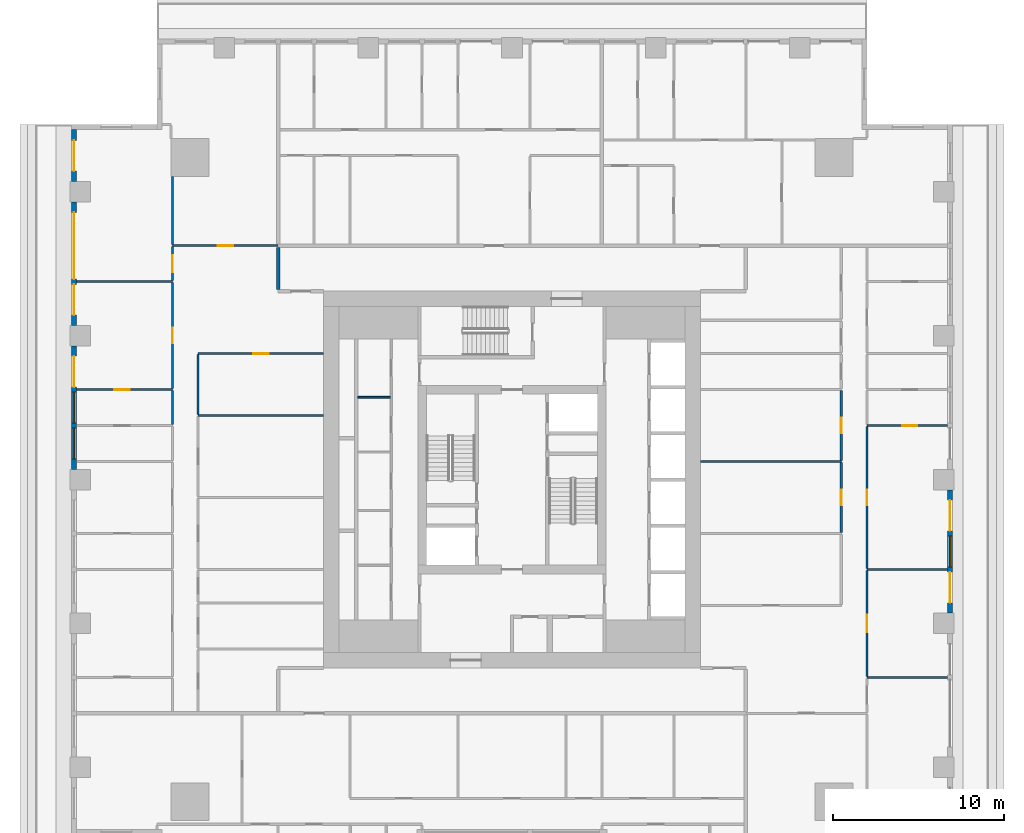
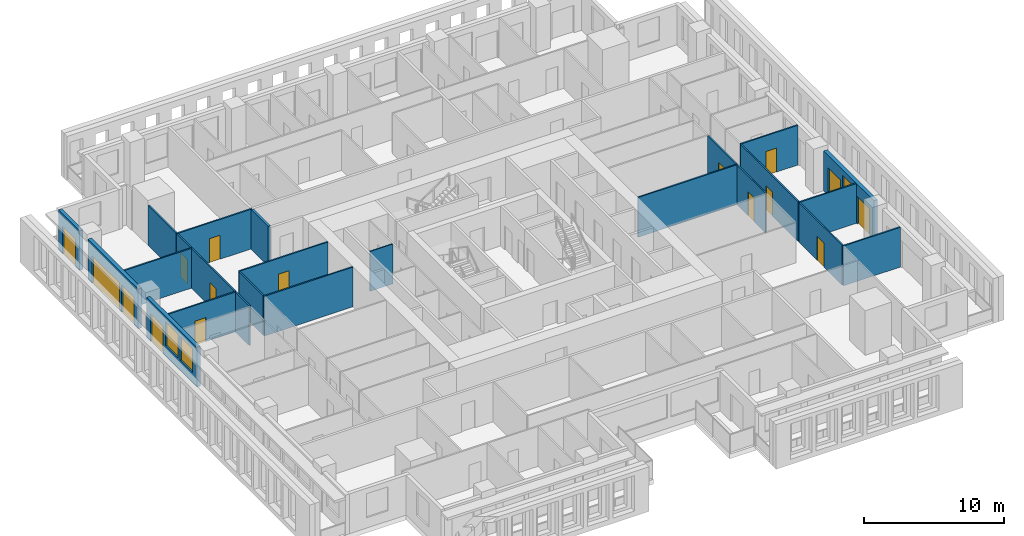
# One storey, part 6 of 15: 24 walls, 16 doors, 3 windows, 19 openings.
"""IFC4 building model written with IfcOpenShell, lengths in metres."""

from ifc_helpers import new_model, si_unit, direction, frame, frame_2d, origin, place, context, subcontext, project, spatial, rectangle, extrude, material, layer, layer_set, type_object, element, fill, save


model = new_model("IFC4")

# Units and contexts
model_context = context("Model", 3, precision=1e-05, world=origin(), true_north=direction((0.0, 1.0)))
body_context = subcontext(model_context, "Body", "Model", "MODEL_VIEW")
ifc_project = project(units=[si_unit("LENGTHUNIT", "METRE"), si_unit("AREAUNIT", "SQUARE_METRE"), si_unit("VOLUMEUNIT", "CUBIC_METRE"), si_unit("PLANEANGLEUNIT", "RADIAN"), si_unit("MASSUNIT", "GRAM", prefix="KILO")], contexts=[model_context])

# Site, building, storey
site_placement = place(None, origin())
site = spatial("IfcSite", under=ifc_project, at=site_placement, CompositionType="ELEMENT")
building_placement = place(site_placement, origin())
building = spatial("IfcBuilding", under=site, at=building_placement, Name="Khepri Terraces", CompositionType="ELEMENT")
storey_placement = place(building_placement, frame((0.0, 0.0, 248.39990234375)))
storey = spatial("IfcBuildingStorey", under=building, at=storey_placement, Name="L59", CompositionType="ELEMENT", Elevation=248.39990234375)

# Walls
ifc_material_1 = material(Name="Fire-rated gypsum board partition")
ifc_layer_1 = layer(ifc_material_1, 0.10009765625, Name="Fire-rated gypsum board partition")
ifc_layer_set_1 = layer_set([ifc_layer_1], Name="Fire-rated gypsum board partition")
wall_type_1 = type_object("IfcWallType", Name="WL-CORE-PART-100", PredefinedType="PARTITIONING", material=ifc_layer_set_1)
wall_1_placement = place(storey_placement, frame((-9.0, 4.800048828125, 0.0), z_axis=(0.0, 0.0, 1.0), x_axis=(1.0, 0.0, 0.0)))
element("IfcWall", 1, at=wall_1_placement, inside=storey, type_object=wall_type_1, Name="Core partition PT11 L59", PredefinedType="PARTITIONING", context=body_context, shape_type="SweptSolid", body=[
    extrude(rectangle(XDim=1.89990234375, YDim=0.10009765625, at=frame_2d((0.949951171875, 0.0))), origin(), (0.0, 0.0, 1.0), 3.47998046875),
])
ifc_material_2 = material(Name="Fire-rated gypsum plasterboard partition, mineral wool")
ifc_layer_2 = layer(ifc_material_2, 0.199951171875, Name="Fire-rated gypsum plasterboard partition, mineral wool")
ifc_layer_set_2 = layer_set([ifc_layer_2], Name="Fire-rated gypsum plasterboard partition, mineral wool")
wall_type_2 = type_object("IfcWallType", Name="WL-CORR-200", PredefinedType="PARTITIONING", material=ifc_layer_set_2)
wall_2_placement = place(storey_placement, frame((-13.64990234375, 11.10009765625, 0.0), z_axis=(0.0, 0.0, 1.0), x_axis=(0.0, 1.0, 0.0)))
element("IfcWall", 2, at=wall_2_placement, inside=storey, type_object=wall_type_2, Name="Partition P-075 L59", PredefinedType="PARTITIONING", context=body_context, shape_type="SweptSolid", body=[
    extrude(rectangle(XDim=2.449951171875, YDim=0.199951171875, at=frame_2d((1.22509765625, 0.0))), origin(), (0.0, 0.0, 1.0), 3.47998046875),
])

# Wall, openings, doors, window
ifc_material_3 = material(Name="Precast concrete C50/60 warm stone", Category="masonry")
ifc_layer_3 = layer(ifc_material_3, 0.300048828125, Name="Precast concrete C50/60 warm stone", Category="masonry")
ifc_layer_set_3 = layer_set([ifc_layer_3], Name="Precast concrete C50/60 warm stone")
wall_type_3 = type_object("IfcWallType", Name="WL-EXT-PRECAST-300", PredefinedType="STANDARD", material=ifc_layer_set_3)
wall_3_placement = place(storey_placement, frame((25.570068359375, -7.800048828125, 0.0), z_axis=(0.0, 0.0, 1.0), x_axis=(0.0, 1.0, 0.0)))
wall_3 = element("IfcWall", 3, at=wall_3_placement, inside=storey, type_object=wall_type_3, Name="External wall L59 E", PredefinedType="STANDARD", context=body_context, shape_type="SweptSolid", body=[
    extrude(rectangle(XDim=7.199951171875, YDim=0.300048828125, at=frame_2d((3.60009765625, 0.0))), origin(), (0.0, 0.0, 1.0), 3.47998046875),
])
opening_1_placement = place(wall_3_placement, frame((0.60009765625, 0.0, 0.0)))
opening_1 = element("IfcOpeningElement", 4, at=opening_1_placement, cuts=wall_3, Name="Opening ED-L59-04", PredefinedType="OPENING", context=body_context, shape_type="SweptSolid", body=[
    extrude(rectangle(XDim=1.800048828125, YDim=2.39990234375, at=frame_2d((0.89990234375, 1.199951171875))), frame((0.0, 0.16015625, 0.0), z_axis=(0.0, -1.0, 0.0), x_axis=(1.0, 0.0, 0.0)), (0.0, 0.0, 1.0), 0.320068359375),
])
opening_2_placement = place(wall_3_placement, frame((2.699951171875, 0.0, 0.89990234375)))
opening_2 = element("IfcOpeningElement", 5, at=opening_2_placement, cuts=wall_3, Name="Opening W1", PredefinedType="OPENING", context=body_context, shape_type="SweptSolid", body=[
    extrude(rectangle(XDim=1.800048828125, YDim=2.10009765625, at=frame_2d((0.89990234375, 1.050048828125))), frame((0.0, 0.16015625, 0.0), z_axis=(0.0, -1.0, 0.0), x_axis=(1.0, 0.0, 0.0)), (0.0, 0.0, 1.0), 0.320068359375),
])
opening_3_placement = place(wall_3_placement, frame((4.800048828125, 0.0, 0.0)))
opening_3 = element("IfcOpeningElement", 6, at=opening_3_placement, cuts=wall_3, Name="Opening ED-L59-05", PredefinedType="OPENING", context=body_context, shape_type="SweptSolid", body=[
    extrude(rectangle(XDim=1.800048828125, YDim=2.39990234375, at=frame_2d((0.89990234375, 1.199951171875))), frame((0.0, 0.16015625, 0.0), z_axis=(0.0, -1.0, 0.0), x_axis=(1.0, 0.0, 0.0)), (0.0, 0.0, 1.0), 0.320068359375),
])
ifc_material_4 = material(Name="Anodised aluminium bronze glazed door", Category="aluminium")
door_type_1 = type_object("IfcDoorType", Name="DR-BAL-SLIDE-1800x2400", OperationType="NOTDEFINED", PredefinedType="DOOR", material=ifc_material_4)
door_1_placement = place(opening_1_placement, origin())
door_1 = element("IfcDoor", 7, at=door_1_placement, inside=storey, type_object=door_type_1, Name="Balcony door L59 E", OperationType="SLIDING_TO_LEFT", OverallHeight=2.39990234375, OverallWidth=1.800048828125, PredefinedType="DOOR", context=body_context, shape_type="SweptSolid", body=[
    extrude(rectangle(XDim=1.800048828125, YDim=2.39990234375, at=frame_2d((0.89990234375, 1.199951171875))), frame((0.0, 0.02490234375, 0.0), z_axis=(0.0, -1.0, 0.0), x_axis=(1.0, 0.0, 0.0)), (0.0, 0.0, 1.0), 0.050048828125),
])
fill(opening_1, door_1)
door_2_placement = place(opening_3_placement, origin())
door_2 = element("IfcDoor", 8, at=door_2_placement, inside=storey, type_object=door_type_1, Name="Balcony door L59 E", OperationType="SLIDING_TO_RIGHT", OverallHeight=2.39990234375, OverallWidth=1.800048828125, PredefinedType="DOOR", context=body_context, shape_type="SweptSolid", body=[
    extrude(rectangle(XDim=1.800048828125, YDim=2.39990234375, at=frame_2d((0.89990234375, 1.199951171875))), frame((0.0, 0.02490234375, 0.0), z_axis=(0.0, -1.0, 0.0), x_axis=(1.0, 0.0, 0.0)), (0.0, 0.0, 1.0), 0.050048828125),
])
fill(opening_3, door_2)
ifc_material_5 = material(Name="Clear glass", Category="glass")
window_type = type_object("IfcWindowType", Name="WIN-RES-1800x2100", PartitioningType="SINGLE_PANEL", PredefinedType="WINDOW", material=ifc_material_5)
window_1_placement = place(opening_2_placement, origin())
window_1 = element("IfcWindow", 9, at=window_1_placement, inside=storey, type_object=window_type, Name="Window L59 E", OverallHeight=2.10009765625, OverallWidth=1.800048828125, PartitioningType="SINGLE_PANEL", PredefinedType="WINDOW", context=body_context, shape_type="SweptSolid", body=[
    extrude(rectangle(XDim=1.800048828125, YDim=2.10009765625, at=frame_2d((0.89990234375, 1.050048828125))), frame((0.0, 0.030029296875, 0.0), z_axis=(0.0, -1.0, 0.0), x_axis=(1.0, 0.0, 0.0)), (0.0, 0.0, 1.0), 0.06005859375),
])
fill(opening_2, window_1)

# Wall, opening, door
wall_4_placement = place(storey_placement, frame((-25.570068359375, 20.419921875, 0.0), z_axis=(0.0, 0.0, 1.0), x_axis=(0.0, -1.0, 0.0)))
wall_4 = element("IfcWall", 10, at=wall_4_placement, inside=storey, type_object=wall_type_3, Name="External wall L59 W", PredefinedType="STANDARD", context=body_context, shape_type="SweptSolid", body=[
    extrude(rectangle(XDim=3.02001953125, YDim=0.300048828125, at=frame_2d((1.510009765625, 0.0))), origin(), (0.0, 0.0, 1.0), 3.47998046875),
])
opening_4_placement = place(wall_4_placement, frame((0.6201171875, 0.0, 0.0)))
opening_4 = element("IfcOpeningElement", 11, at=opening_4_placement, cuts=wall_4, Name="Opening ED-L59-12", PredefinedType="OPENING", context=body_context, shape_type="SweptSolid", body=[
    extrude(rectangle(XDim=1.800048828125, YDim=2.39990234375, at=frame_2d((0.89990234375, 1.199951171875))), frame((0.0, 0.16015625, 0.0), z_axis=(0.0, -1.0, 0.0), x_axis=(1.0, 0.0, 0.0)), (0.0, 0.0, 1.0), 0.320068359375),
])
door_3_placement = place(opening_4_placement, origin())
door_3 = element("IfcDoor", 12, at=door_3_placement, inside=storey, type_object=door_type_1, Name="Balcony door L59 W", OperationType="SLIDING_TO_RIGHT", OverallHeight=2.39990234375, OverallWidth=1.800048828125, PredefinedType="DOOR", context=body_context, shape_type="SweptSolid", body=[
    extrude(rectangle(XDim=1.800048828125, YDim=2.39990234375, at=frame_2d((0.89990234375, 1.199951171875))), frame((0.0, 0.02490234375, 0.0), z_axis=(0.0, -1.0, 0.0), x_axis=(1.0, 0.0, 0.0)), (0.0, 0.0, 1.0), 0.050048828125),
])
fill(opening_4, door_3)

# Wall, openings, doors
wall_5_placement = place(storey_placement, frame((-25.570068359375, 16.199951171875, 0.0), z_axis=(0.0, 0.0, 1.0), x_axis=(0.0, -1.0, 0.0)))
wall_5 = element("IfcWall", 13, at=wall_5_placement, inside=storey, type_object=wall_type_3, Name="External wall L59 W", PredefinedType="STANDARD", context=body_context, shape_type="SweptSolid", body=[
    extrude(rectangle(XDim=7.199951171875, YDim=0.300048828125, at=frame_2d((3.60009765625, 0.0))), origin(), (0.0, 0.0, 1.0), 3.47998046875),
])
opening_5_placement = place(wall_5_placement, frame((0.60009765625, 0.0, 0.0)))
opening_5 = element("IfcOpeningElement", 14, at=opening_5_placement, cuts=wall_5, Name="Opening ED-L59-13", PredefinedType="OPENING", context=body_context, shape_type="SweptSolid", body=[
    extrude(rectangle(XDim=3.89990234375, YDim=2.39990234375, at=frame_2d((1.949951171875, 1.199951171875))), frame((0.0, 0.16015625, 0.0), z_axis=(0.0, -1.0, 0.0), x_axis=(1.0, 0.0, 0.0)), (0.0, 0.0, 1.0), 0.320068359375),
])
opening_6_placement = place(wall_5_placement, frame((4.800048828125, 0.0, 0.0)))
opening_6 = element("IfcOpeningElement", 15, at=opening_6_placement, cuts=wall_5, Name="Opening ED-L59-14", PredefinedType="OPENING", context=body_context, shape_type="SweptSolid", body=[
    extrude(rectangle(XDim=1.800048828125, YDim=2.39990234375, at=frame_2d((0.89990234375, 1.199951171875))), frame((0.0, 0.16015625, 0.0), z_axis=(0.0, -1.0, 0.0), x_axis=(1.0, 0.0, 0.0)), (0.0, 0.0, 1.0), 0.320068359375),
])
door_4_placement = place(opening_6_placement, origin())
door_4 = element("IfcDoor", 16, at=door_4_placement, inside=storey, type_object=door_type_1, Name="Balcony door L59 W", OperationType="SLIDING_TO_RIGHT", OverallHeight=2.39990234375, OverallWidth=1.800048828125, PredefinedType="DOOR", context=body_context, shape_type="SweptSolid", body=[
    extrude(rectangle(XDim=1.800048828125, YDim=2.39990234375, at=frame_2d((0.89990234375, 1.199951171875))), frame((0.0, 0.02490234375, 0.0), z_axis=(0.0, -1.0, 0.0), x_axis=(1.0, 0.0, 0.0)), (0.0, 0.0, 1.0), 0.050048828125),
])
fill(opening_6, door_4)
door_type_2 = type_object("IfcDoorType", Name="DR-BAL-SLIDE-3900x2400", OperationType="NOTDEFINED", PredefinedType="DOOR", material=ifc_material_4)
door_5_placement = place(opening_5_placement, origin())
door_5 = element("IfcDoor", 17, at=door_5_placement, inside=storey, type_object=door_type_2, Name="Balcony door L59 W", OperationType="SLIDING_TO_LEFT", OverallHeight=2.39990234375, OverallWidth=3.89990234375, PredefinedType="DOOR", context=body_context, shape_type="SweptSolid", body=[
    extrude(rectangle(XDim=3.89990234375, YDim=2.39990234375, at=frame_2d((1.949951171875, 1.199951171875))), frame((0.0, 0.02490234375, 0.0), z_axis=(0.0, -1.0, 0.0), x_axis=(1.0, 0.0, 0.0)), (0.0, 0.0, 1.0), 0.050048828125),
])
fill(opening_5, door_5)

# Wall, openings, door, windows
wall_6_placement = place(storey_placement, frame((-25.570068359375, 7.800048828125, 0.0), z_axis=(0.0, 0.0, 1.0), x_axis=(0.0, -1.0, 0.0)))
wall_6 = element("IfcWall", 18, at=wall_6_placement, inside=storey, type_object=wall_type_3, Name="External wall L59 W", PredefinedType="STANDARD", context=body_context, shape_type="SweptSolid", body=[
    extrude(rectangle(XDim=7.199951171875, YDim=0.300048828125, at=frame_2d((3.60009765625, 0.0))), origin(), (0.0, 0.0, 1.0), 3.47998046875),
])
opening_7_placement = place(wall_6_placement, frame((0.60009765625, 0.0, 0.0)))
opening_7 = element("IfcOpeningElement", 19, at=opening_7_placement, cuts=wall_6, Name="Opening ED-L59-15", PredefinedType="OPENING", context=body_context, shape_type="SweptSolid", body=[
    extrude(rectangle(XDim=1.800048828125, YDim=2.39990234375, at=frame_2d((0.89990234375, 1.199951171875))), frame((0.0, 0.16015625, 0.0), z_axis=(0.0, -1.0, 0.0), x_axis=(1.0, 0.0, 0.0)), (0.0, 0.0, 1.0), 0.320068359375),
])
opening_8_placement = place(wall_6_placement, frame((2.699951171875, 0.0, 0.89990234375)))
opening_8 = element("IfcOpeningElement", 20, at=opening_8_placement, cuts=wall_6, Name="Opening W1", PredefinedType="OPENING", context=body_context, shape_type="SweptSolid", body=[
    extrude(rectangle(XDim=1.800048828125, YDim=2.10009765625, at=frame_2d((0.89990234375, 1.050048828125))), frame((0.0, 0.16015625, 0.0), z_axis=(0.0, -1.0, 0.0), x_axis=(1.0, 0.0, 0.0)), (0.0, 0.0, 1.0), 0.320068359375),
])
opening_9_placement = place(wall_6_placement, frame((4.800048828125, 0.0, 0.89990234375)))
opening_9 = element("IfcOpeningElement", 21, at=opening_9_placement, cuts=wall_6, Name="Opening W1", PredefinedType="OPENING", context=body_context, shape_type="SweptSolid", body=[
    extrude(rectangle(XDim=1.800048828125, YDim=2.10009765625, at=frame_2d((0.89990234375, 1.050048828125))), frame((0.0, 0.16015625, 0.0), z_axis=(0.0, -1.0, 0.0), x_axis=(1.0, 0.0, 0.0)), (0.0, 0.0, 1.0), 0.320068359375),
])
door_6_placement = place(opening_7_placement, origin())
door_6 = element("IfcDoor", 22, at=door_6_placement, inside=storey, type_object=door_type_1, Name="Balcony door L59 W", OperationType="SLIDING_TO_LEFT", OverallHeight=2.39990234375, OverallWidth=1.800048828125, PredefinedType="DOOR", context=body_context, shape_type="SweptSolid", body=[
    extrude(rectangle(XDim=1.800048828125, YDim=2.39990234375, at=frame_2d((0.89990234375, 1.199951171875))), frame((0.0, 0.02490234375, 0.0), z_axis=(0.0, -1.0, 0.0), x_axis=(1.0, 0.0, 0.0)), (0.0, 0.0, 1.0), 0.050048828125),
])
fill(opening_7, door_6)
window_2_placement = place(opening_8_placement, origin())
window_2 = element("IfcWindow", 23, at=window_2_placement, inside=storey, type_object=window_type, Name="Window L59 W", OverallHeight=2.10009765625, OverallWidth=1.800048828125, PartitioningType="SINGLE_PANEL", PredefinedType="WINDOW", context=body_context, shape_type="SweptSolid", body=[
    extrude(rectangle(XDim=1.800048828125, YDim=2.10009765625, at=frame_2d((0.89990234375, 1.050048828125))), frame((0.0, 0.030029296875, 0.0), z_axis=(0.0, -1.0, 0.0), x_axis=(1.0, 0.0, 0.0)), (0.0, 0.0, 1.0), 0.06005859375),
])
fill(opening_8, window_2)
window_3_placement = place(opening_9_placement, origin())
window_3 = element("IfcWindow", 24, at=window_3_placement, inside=storey, type_object=window_type, Name="Window L59 W", OverallHeight=2.10009765625, OverallWidth=1.800048828125, PartitioningType="SINGLE_PANEL", PredefinedType="WINDOW", context=body_context, shape_type="SweptSolid", body=[
    extrude(rectangle(XDim=1.800048828125, YDim=2.10009765625, at=frame_2d((0.89990234375, 1.050048828125))), frame((0.0, 0.030029296875, 0.0), z_axis=(0.0, -1.0, 0.0), x_axis=(1.0, 0.0, 0.0)), (0.0, 0.0, 1.0), 0.06005859375),
])
fill(opening_9, window_3)

# Wall
ifc_material_6 = material(Name="Gypsum plasterboard partition")
ifc_layer_4 = layer(ifc_material_6, 0.1201171875, Name="Gypsum plasterboard partition")
ifc_layer_set_4 = layer_set([ifc_layer_4], Name="Gypsum plasterboard partition")
wall_type_4 = type_object("IfcWallType", Name="WL-PART-120", PredefinedType="PARTITIONING", material=ifc_layer_set_4)
wall_7_placement = place(storey_placement, frame((20.719970703125, -11.550048828125, 0.0), z_axis=(0.0, 0.0, 1.0), x_axis=(1.0, 0.0, 0.0)))
element("IfcWall", 25, at=wall_7_placement, inside=storey, type_object=wall_type_4, Name="Partition P-027 L59", PredefinedType="PARTITIONING", context=body_context, shape_type="SweptSolid", body=[
    extrude(rectangle(XDim=4.699951171875, YDim=0.1201171875, at=frame_2d((2.35009765625, 0.0))), origin(), (0.0, 0.0, 1.0), 3.47998046875),
])

# Wall, opening, door
wall_8_placement = place(storey_placement, frame((20.719970703125, -11.489990234375, 0.0), z_axis=(0.0, 0.0, 1.0), x_axis=(0.0, 1.0, 0.0)))
wall_8 = element("IfcWall", 26, at=wall_8_placement, inside=storey, type_object=wall_type_4, Name="Partition P-029 L59", PredefinedType="PARTITIONING", context=body_context, shape_type="SweptSolid", body=[
    extrude(rectangle(XDim=6.179931640625, YDim=0.1201171875, at=frame_2d((3.08984375, 0.0))), origin(), (0.0, 0.0, 1.0), 3.47998046875),
])
opening_10_placement = place(wall_8_placement, frame((2.590087890625, 0.0, 0.0)))
opening_10 = element("IfcOpeningElement", 27, at=opening_10_placement, cuts=wall_8, Name="Opening D2", PredefinedType="OPENING", context=body_context, shape_type="SweptSolid", body=[
    extrude(rectangle(XDim=1.0, YDim=2.10009765625, at=frame_2d((0.5, 1.050048828125))), frame((0.0, 0.070068359375, 0.0), z_axis=(0.0, -1.0, 0.0), x_axis=(1.0, 0.0, 0.0)), (0.0, 0.0, 1.0), 0.14013671875),
])
ifc_material_7 = material(Name="Timber door leaf, living room door", Category="wood")
door_type_3 = type_object("IfcDoorType", Name="DR-INT-1000", OperationType="NOTDEFINED", PredefinedType="DOOR", material=ifc_material_7)
door_7_placement = place(opening_10_placement, frame((1.0, 0.0, 0.0), z_axis=(0.0, 0.0, 1.0), x_axis=(-1.0, 0.0, 0.0)))
door_7 = element("IfcDoor", 28, at=door_7_placement, inside=storey, type_object=door_type_3, Name="Door Family Room", OperationType="SINGLE_SWING_RIGHT", OverallHeight=2.10009765625, OverallWidth=1.0, PredefinedType="DOOR", context=body_context, shape_type="SweptSolid", body=[
    extrude(rectangle(XDim=1.0, YDim=2.10009765625, at=frame_2d((0.5, 1.050048828125))), frame((0.0, 0.02490234375, 0.0), z_axis=(0.0, -1.0, 0.0), x_axis=(1.0, 0.0, 0.0)), (0.0, 0.0, 1.0), 0.050048828125),
])
fill(opening_10, door_7)

# Wall
wall_9_placement = place(storey_placement, frame((20.719970703125, -5.25, 0.0), z_axis=(0.0, 0.0, 1.0), x_axis=(1.0, 0.0, 0.0)))
element("IfcWall", 29, at=wall_9_placement, inside=storey, type_object=wall_type_4, Name="Partition P-040 L59", PredefinedType="PARTITIONING", context=body_context, shape_type="SweptSolid", body=[
    extrude(rectangle(XDim=4.699951171875, YDim=0.1201171875, at=frame_2d((2.35009765625, 0.0))), origin(), (0.0, 0.0, 1.0), 3.47998046875),
])

# Wall, opening, door
wall_10_placement = place(storey_placement, frame((20.719970703125, -5.18994140625, 0.0), z_axis=(0.0, 0.0, 1.0), x_axis=(0.0, 1.0, 0.0)))
wall_10 = element("IfcWall", 30, at=wall_10_placement, inside=storey, type_object=wall_type_4, Name="Partition P-043 L59", PredefinedType="PARTITIONING", context=body_context, shape_type="SweptSolid", body=[
    extrude(rectangle(XDim=8.280029296875, YDim=0.1201171875, at=frame_2d((4.14013671875, 0.0))), origin(), (0.0, 0.0, 1.0), 3.47998046875),
])
opening_11_placement = place(wall_10_placement, frame((3.68994140625, 0.0, 0.0)))
opening_11 = element("IfcOpeningElement", 31, at=opening_11_placement, cuts=wall_10, Name="Opening D3", PredefinedType="OPENING", context=body_context, shape_type="SweptSolid", body=[
    extrude(rectangle(XDim=0.89990234375, YDim=2.10009765625, at=frame_2d((0.449951171875, 1.050048828125))), frame((0.0, 0.070068359375, 0.0), z_axis=(0.0, -1.0, 0.0), x_axis=(1.0, 0.0, 0.0)), (0.0, 0.0, 1.0), 0.14013671875),
])
ifc_material_8 = material(Name="Timber door leaf", Category="wood")
door_type_4 = type_object("IfcDoorType", Name="DR-INT-900", OperationType="NOTDEFINED", PredefinedType="DOOR", material=ifc_material_8)
door_8_placement = place(opening_11_placement, frame((0.89990234375, 0.0, 0.0), z_axis=(0.0, 0.0, 1.0), x_axis=(-1.0, 0.0, 0.0)))
door_8 = element("IfcDoor", 32, at=door_8_placement, inside=storey, type_object=door_type_4, Name="Door Master Bedroom", OperationType="SINGLE_SWING_LEFT", OverallHeight=2.10009765625, OverallWidth=0.89990234375, PredefinedType="DOOR", context=body_context, shape_type="SweptSolid", body=[
    extrude(rectangle(XDim=0.89990234375, YDim=2.10009765625, at=frame_2d((0.449951171875, 1.050048828125))), frame((0.0, 0.02490234375, 0.0), z_axis=(0.0, -1.0, 0.0), x_axis=(1.0, 0.0, 0.0)), (0.0, 0.0, 1.0), 0.050048828125),
])
fill(opening_11, door_8)

wall_11_placement = place(storey_placement, frame((19.219970703125, -3.090087890625, 0.0), z_axis=(0.0, 0.0, 1.0), x_axis=(0.0, 1.0, 0.0)))
wall_11 = element("IfcWall", 33, at=wall_11_placement, inside=storey, type_object=wall_type_4, Name="Partition P-047 L59", PredefinedType="PARTITIONING", context=body_context, shape_type="SweptSolid", body=[
    extrude(rectangle(XDim=4.080078125, YDim=0.1201171875, at=frame_2d((2.0400390625, 0.0))), origin(), (0.0, 0.0, 1.0), 3.47998046875),
])
opening_12_placement = place(wall_11_placement, frame((1.590087890625, 0.0, 0.0)))
opening_12 = element("IfcOpeningElement", 34, at=opening_12_placement, cuts=wall_11, Name="Opening D3", PredefinedType="OPENING", context=body_context, shape_type="SweptSolid", body=[
    extrude(rectangle(XDim=0.89990234375, YDim=2.10009765625, at=frame_2d((0.449951171875, 1.050048828125))), frame((0.0, 0.070068359375, 0.0), z_axis=(0.0, -1.0, 0.0), x_axis=(1.0, 0.0, 0.0)), (0.0, 0.0, 1.0), 0.14013671875),
])
door_9_placement = place(opening_12_placement, origin())
door_9 = element("IfcDoor", 35, at=door_9_placement, inside=storey, type_object=door_type_4, Name="Door Service Kitchen", OperationType="SINGLE_SWING_RIGHT", OverallHeight=2.10009765625, OverallWidth=0.89990234375, PredefinedType="DOOR", context=body_context, shape_type="SweptSolid", body=[
    extrude(rectangle(XDim=0.89990234375, YDim=2.10009765625, at=frame_2d((0.449951171875, 1.050048828125))), frame((0.0, 0.02490234375, 0.0), z_axis=(0.0, -1.0, 0.0), x_axis=(1.0, 0.0, 0.0)), (0.0, 0.0, 1.0), 0.050048828125),
])
fill(opening_12, door_9)

# Wall
wall_12_placement = place(storey_placement, frame((11.0, 1.050048828125, 0.0), z_axis=(0.0, 0.0, 1.0), x_axis=(1.0, 0.0, 0.0)))
element("IfcWall", 36, at=wall_12_placement, inside=storey, type_object=wall_type_4, Name="Partition P-051 L59", PredefinedType="PARTITIONING", context=body_context, shape_type="SweptSolid", body=[
    extrude(rectangle(XDim=8.219970703125, YDim=0.1201171875, at=frame_2d((4.10986328125, 0.0))), origin(), (0.0, 0.0, 1.0), 3.47998046875),
])

# Wall, opening, door
wall_13_placement = place(storey_placement, frame((19.219970703125, 1.110107421875, 0.0), z_axis=(0.0, 0.0, 1.0), x_axis=(0.0, 1.0, 0.0)))
wall_13 = element("IfcWall", 37, at=wall_13_placement, inside=storey, type_object=wall_type_4, Name="Partition P-053 L59", PredefinedType="PARTITIONING", context=body_context, shape_type="SweptSolid", body=[
    extrude(rectangle(XDim=4.079833984375, YDim=0.1201171875, at=frame_2d((2.0400390625, 0.0))), origin(), (0.0, 0.0, 1.0), 3.47998046875),
])
opening_13_placement = place(wall_13_placement, frame((1.590087890625, 0.0, 0.0)))
opening_13 = element("IfcOpeningElement", 38, at=opening_13_placement, cuts=wall_13, Name="Opening D3", PredefinedType="OPENING", context=body_context, shape_type="SweptSolid", body=[
    extrude(rectangle(XDim=0.89990234375, YDim=2.10009765625, at=frame_2d((0.449951171875, 1.050048828125))), frame((0.0, 0.070068359375, 0.0), z_axis=(0.0, -1.0, 0.0), x_axis=(1.0, 0.0, 0.0)), (0.0, 0.0, 1.0), 0.14013671875),
])
door_10_placement = place(opening_13_placement, origin())
door_10 = element("IfcDoor", 39, at=door_10_placement, inside=storey, type_object=door_type_4, Name="Door Staff Bedroom", OperationType="SINGLE_SWING_RIGHT", OverallHeight=2.10009765625, OverallWidth=0.89990234375, PredefinedType="DOOR", context=body_context, shape_type="SweptSolid", body=[
    extrude(rectangle(XDim=0.89990234375, YDim=2.10009765625, at=frame_2d((0.449951171875, 1.050048828125))), frame((0.0, 0.02490234375, 0.0), z_axis=(0.0, -1.0, 0.0), x_axis=(1.0, 0.0, 0.0)), (0.0, 0.0, 1.0), 0.050048828125),
])
fill(opening_13, door_10)

wall_14_placement = place(storey_placement, frame((20.719970703125, 3.14990234375, 0.0), z_axis=(0.0, 0.0, 1.0), x_axis=(1.0, 0.0, 0.0)))
wall_14 = element("IfcWall", 40, at=wall_14_placement, inside=storey, type_object=wall_type_4, Name="Partition P-055 L59", PredefinedType="PARTITIONING", context=body_context, shape_type="SweptSolid", body=[
    extrude(rectangle(XDim=4.699951171875, YDim=0.1201171875, at=frame_2d((2.35009765625, 0.0))), origin(), (0.0, 0.0, 1.0), 3.47998046875),
])
opening_14_placement = place(wall_14_placement, frame((2.050048828125, 0.0, 0.0)))
opening_14 = element("IfcOpeningElement", 41, at=opening_14_placement, cuts=wall_14, Name="Opening D3", PredefinedType="OPENING", context=body_context, shape_type="SweptSolid", body=[
    extrude(rectangle(XDim=0.89990234375, YDim=2.10009765625, at=frame_2d((0.449951171875, 1.050048828125))), frame((0.0, 0.070068359375, 0.0), z_axis=(0.0, -1.0, 0.0), x_axis=(1.0, 0.0, 0.0)), (0.0, 0.0, 1.0), 0.14013671875),
])
door_11_placement = place(opening_14_placement, origin())
door_11 = element("IfcDoor", 42, at=door_11_placement, inside=storey, type_object=door_type_4, Name="Door Dressing Room", OperationType="SINGLE_SWING_RIGHT", OverallHeight=2.10009765625, OverallWidth=0.89990234375, PredefinedType="DOOR", context=body_context, shape_type="SweptSolid", body=[
    extrude(rectangle(XDim=0.89990234375, YDim=2.10009765625, at=frame_2d((0.449951171875, 1.050048828125))), frame((0.0, 0.02490234375, 0.0), z_axis=(0.0, -1.0, 0.0), x_axis=(1.0, 0.0, 0.0)), (0.0, 0.0, 1.0), 0.050048828125),
])
fill(opening_14, door_11)

# Walls
wall_15_placement = place(storey_placement, frame((-19.820068359375, 3.2099609375, 0.0), z_axis=(0.0, 0.0, 1.0), x_axis=(0.0, 1.0, 0.0)))
element("IfcWall", 43, at=wall_15_placement, inside=storey, type_object=wall_type_4, Name="Partition P-056 L59", PredefinedType="PARTITIONING", context=body_context, shape_type="SweptSolid", body=[
    extrude(rectangle(XDim=1.97998046875, YDim=0.1201171875, at=frame_2d((0.989990234375, 0.0))), origin(), (0.0, 0.0, 1.0), 3.47998046875),
])
wall_16_placement = place(storey_placement, frame((-18.320068359375, 3.75, 0.0), z_axis=(0.0, 0.0, 1.0), x_axis=(1.0, 0.0, 0.0)))
element("IfcWall", 44, at=wall_16_placement, inside=storey, type_object=wall_type_4, Name="Partition P-058 L59", PredefinedType="PARTITIONING", context=body_context, shape_type="SweptSolid", body=[
    extrude(rectangle(XDim=7.320068359375, YDim=0.1201171875, at=frame_2d((3.66015625, 0.0))), origin(), (0.0, 0.0, 1.0), 3.47998046875),
])
wall_17_placement = place(storey_placement, frame((-18.320068359375, 3.81005859375, 0.0), z_axis=(0.0, 0.0, 1.0), x_axis=(0.0, 1.0, 0.0)))
element("IfcWall", 45, at=wall_17_placement, inside=storey, type_object=wall_type_4, Name="Partition P-059 L59", PredefinedType="PARTITIONING", context=body_context, shape_type="SweptSolid", body=[
    extrude(rectangle(XDim=3.47998046875, YDim=0.1201171875, at=frame_2d((1.739990234375, 0.0))), origin(), (0.0, 0.0, 1.0), 3.47998046875),
])

# Wall, opening, door
wall_18_placement = place(storey_placement, frame((-25.419921875, 5.25, 0.0), z_axis=(0.0, 0.0, 1.0), x_axis=(1.0, 0.0, 0.0)))
wall_18 = element("IfcWall", 46, at=wall_18_placement, inside=storey, type_object=wall_type_4, Name="Partition P-060 L59", PredefinedType="PARTITIONING", context=body_context, shape_type="SweptSolid", body=[
    extrude(rectangle(XDim=5.599853515625, YDim=0.1201171875, at=frame_2d((2.7998046875, 0.0))), origin(), (0.0, 0.0, 1.0), 3.47998046875),
])
opening_15_placement = place(wall_18_placement, frame((2.199951171875, 0.0, 0.0)))
opening_15 = element("IfcOpeningElement", 47, at=opening_15_placement, cuts=wall_18, Name="Opening D3", PredefinedType="OPENING", context=body_context, shape_type="SweptSolid", body=[
    extrude(rectangle(XDim=0.89990234375, YDim=2.10009765625, at=frame_2d((0.449951171875, 1.050048828125))), frame((0.0, 0.070068359375, 0.0), z_axis=(0.0, -1.0, 0.0), x_axis=(1.0, 0.0, 0.0)), (0.0, 0.0, 1.0), 0.14013671875),
])
door_12_placement = place(opening_15_placement, frame((0.89990234375, 0.0, 0.0), z_axis=(0.0, 0.0, 1.0), x_axis=(-1.0, 0.0, 0.0)))
door_12 = element("IfcDoor", 48, at=door_12_placement, inside=storey, type_object=door_type_4, Name="Door Dressing Room", OperationType="SINGLE_SWING_RIGHT", OverallHeight=2.10009765625, OverallWidth=0.89990234375, PredefinedType="DOOR", context=body_context, shape_type="SweptSolid", body=[
    extrude(rectangle(XDim=0.89990234375, YDim=2.10009765625, at=frame_2d((0.449951171875, 1.050048828125))), frame((0.0, 0.02490234375, 0.0), z_axis=(0.0, -1.0, 0.0), x_axis=(1.0, 0.0, 0.0)), (0.0, 0.0, 1.0), 0.050048828125),
])
fill(opening_15, door_12)

wall_19_placement = place(storey_placement, frame((-19.820068359375, 5.31005859375, 0.0), z_axis=(0.0, 0.0, 1.0), x_axis=(0.0, 1.0, 0.0)))
wall_19 = element("IfcWall", 49, at=wall_19_placement, inside=storey, type_object=wall_type_4, Name="Partition P-063 L59", PredefinedType="PARTITIONING", context=body_context, shape_type="SweptSolid", body=[
    extrude(rectangle(XDim=6.179931640625, YDim=0.1201171875, at=frame_2d((3.08984375, 0.0))), origin(), (0.0, 0.0, 1.0), 3.47998046875),
])
opening_16_placement = place(wall_19_placement, frame((2.639892578125, 0.0, 0.0)))
opening_16 = element("IfcOpeningElement", 50, at=opening_16_placement, cuts=wall_19, Name="Opening D3", PredefinedType="OPENING", context=body_context, shape_type="SweptSolid", body=[
    extrude(rectangle(XDim=0.89990234375, YDim=2.10009765625, at=frame_2d((0.449951171875, 1.050048828125))), frame((0.0, 0.070068359375, 0.0), z_axis=(0.0, -1.0, 0.0), x_axis=(1.0, 0.0, 0.0)), (0.0, 0.0, 1.0), 0.14013671875),
])
door_13_placement = place(opening_16_placement, origin())
door_13 = element("IfcDoor", 51, at=door_13_placement, inside=storey, type_object=door_type_4, Name="Door Master Bedroom", OperationType="SINGLE_SWING_RIGHT", OverallHeight=2.10009765625, OverallWidth=0.89990234375, PredefinedType="DOOR", context=body_context, shape_type="SweptSolid", body=[
    extrude(rectangle(XDim=0.89990234375, YDim=2.10009765625, at=frame_2d((0.449951171875, 1.050048828125))), frame((0.0, 0.02490234375, 0.0), z_axis=(0.0, -1.0, 0.0), x_axis=(1.0, 0.0, 0.0)), (0.0, 0.0, 1.0), 0.050048828125),
])
fill(opening_16, door_13)

wall_20_placement = place(storey_placement, frame((-18.320068359375, 7.35009765625, 0.0), z_axis=(0.0, 0.0, 1.0), x_axis=(1.0, 0.0, 0.0)))
wall_20 = element("IfcWall", 52, at=wall_20_placement, inside=storey, type_object=wall_type_4, Name="Partition P-066 L59", PredefinedType="PARTITIONING", context=body_context, shape_type="SweptSolid", body=[
    extrude(rectangle(XDim=7.320068359375, YDim=0.1201171875, at=frame_2d((3.66015625, 0.0))), origin(), (0.0, 0.0, 1.0), 3.47998046875),
])
opening_17_placement = place(wall_20_placement, frame((3.2099609375, 0.0, 0.0)))
opening_17 = element("IfcOpeningElement", 53, at=opening_17_placement, cuts=wall_20, Name="Opening D3", PredefinedType="OPENING", context=body_context, shape_type="SweptSolid", body=[
    extrude(rectangle(XDim=0.89990234375, YDim=2.10009765625, at=frame_2d((0.449951171875, 1.050048828125))), frame((0.0, 0.070068359375, 0.0), z_axis=(0.0, -1.0, 0.0), x_axis=(1.0, 0.0, 0.0)), (0.0, 0.0, 1.0), 0.14013671875),
])
door_14_placement = place(opening_17_placement, frame((0.89990234375, 0.0, 0.0), z_axis=(0.0, 0.0, 1.0), x_axis=(-1.0, 0.0, 0.0)))
door_14 = element("IfcDoor", 54, at=door_14_placement, inside=storey, type_object=door_type_4, Name="Door Kitchen", OperationType="SINGLE_SWING_LEFT", OverallHeight=2.10009765625, OverallWidth=0.89990234375, PredefinedType="DOOR", context=body_context, shape_type="SweptSolid", body=[
    extrude(rectangle(XDim=0.89990234375, YDim=2.10009765625, at=frame_2d((0.449951171875, 1.050048828125))), frame((0.0, 0.02490234375, 0.0), z_axis=(0.0, -1.0, 0.0), x_axis=(1.0, 0.0, 0.0)), (0.0, 0.0, 1.0), 0.050048828125),
])
fill(opening_17, door_14)

# Wall
wall_21_placement = place(storey_placement, frame((-25.419921875, 11.550048828125, 0.0), z_axis=(0.0, 0.0, 1.0), x_axis=(1.0, 0.0, 0.0)))
element("IfcWall", 55, at=wall_21_placement, inside=storey, type_object=wall_type_4, Name="Partition P-077 L59", PredefinedType="PARTITIONING", context=body_context, shape_type="SweptSolid", body=[
    extrude(rectangle(XDim=5.599853515625, YDim=0.1201171875, at=frame_2d((2.7998046875, 0.0))), origin(), (0.0, 0.0, 1.0), 3.47998046875),
])

# Wall, opening, door
wall_22_placement = place(storey_placement, frame((-19.820068359375, 11.610107421875, 0.0), z_axis=(0.0, 0.0, 1.0), x_axis=(0.0, 1.0, 0.0)))
wall_22 = element("IfcWall", 56, at=wall_22_placement, inside=storey, type_object=wall_type_4, Name="Partition P-079 L59", PredefinedType="PARTITIONING", context=body_context, shape_type="SweptSolid", body=[
    extrude(rectangle(XDim=1.97998046875, YDim=0.1201171875, at=frame_2d((0.989990234375, 0.0))), origin(), (0.0, 0.0, 1.0), 3.47998046875),
])
opening_18_placement = place(wall_22_placement, frame((0.489990234375, 0.0, 0.0)))
opening_18 = element("IfcOpeningElement", 57, at=opening_18_placement, cuts=wall_22, Name="Opening D2", PredefinedType="OPENING", context=body_context, shape_type="SweptSolid", body=[
    extrude(rectangle(XDim=1.0, YDim=2.10009765625, at=frame_2d((0.5, 1.050048828125))), frame((0.0, 0.070068359375, 0.0), z_axis=(0.0, -1.0, 0.0), x_axis=(1.0, 0.0, 0.0)), (0.0, 0.0, 1.0), 0.14013671875),
])
door_15_placement = place(opening_18_placement, origin())
door_15 = element("IfcDoor", 58, at=door_15_placement, inside=storey, type_object=door_type_3, Name="Door Living Room", OperationType="SINGLE_SWING_RIGHT", OverallHeight=2.10009765625, OverallWidth=1.0, PredefinedType="DOOR", context=body_context, shape_type="SweptSolid", body=[
    extrude(rectangle(XDim=1.0, YDim=2.10009765625, at=frame_2d((0.5, 1.050048828125))), frame((0.0, 0.02490234375, 0.0), z_axis=(0.0, -1.0, 0.0), x_axis=(1.0, 0.0, 0.0)), (0.0, 0.0, 1.0), 0.050048828125),
])
fill(opening_18, door_15)

wall_23_placement = place(storey_placement, frame((-19.820068359375, 13.64990234375, 0.0), z_axis=(0.0, 0.0, 1.0), x_axis=(1.0, 0.0, 0.0)))
wall_23 = element("IfcWall", 59, at=wall_23_placement, inside=storey, type_object=wall_type_4, Name="Partition P-081 L59", PredefinedType="PARTITIONING", context=body_context, shape_type="SweptSolid", body=[
    extrude(rectangle(XDim=6.170166015625, YDim=0.1201171875, at=frame_2d((3.0849609375, 0.0))), origin(), (0.0, 0.0, 1.0), 3.47998046875),
])
opening_19_placement = place(wall_23_placement, frame((2.635009765625, 0.0, 0.0)))
opening_19 = element("IfcOpeningElement", 60, at=opening_19_placement, cuts=wall_23, Name="Opening D3", PredefinedType="OPENING", context=body_context, shape_type="SweptSolid", body=[
    extrude(rectangle(XDim=0.89990234375, YDim=2.10009765625, at=frame_2d((0.449951171875, 1.050048828125))), frame((0.0, 0.070068359375, 0.0), z_axis=(0.0, -1.0, 0.0), x_axis=(1.0, 0.0, 0.0)), (0.0, 0.0, 1.0), 0.14013671875),
])
door_16_placement = place(opening_19_placement, origin())
door_16 = element("IfcDoor", 61, at=door_16_placement, inside=storey, type_object=door_type_4, Name="Door Home Cinema", OperationType="SINGLE_SWING_RIGHT", OverallHeight=2.10009765625, OverallWidth=0.89990234375, PredefinedType="DOOR", context=body_context, shape_type="SweptSolid", body=[
    extrude(rectangle(XDim=0.89990234375, YDim=2.10009765625, at=frame_2d((0.449951171875, 1.050048828125))), frame((0.0, 0.02490234375, 0.0), z_axis=(0.0, -1.0, 0.0), x_axis=(1.0, 0.0, 0.0)), (0.0, 0.0, 1.0), 0.050048828125),
])
fill(opening_19, door_16)

# Wall
wall_24_placement = place(storey_placement, frame((-19.820068359375, 13.7099609375, 0.0), z_axis=(0.0, 0.0, 1.0), x_axis=(0.0, 1.0, 0.0)))
element("IfcWall", 62, at=wall_24_placement, inside=storey, type_object=wall_type_4, Name="Partition P-083 L59", PredefinedType="PARTITIONING", context=body_context, shape_type="SweptSolid", body=[
    extrude(rectangle(XDim=3.989990234375, YDim=0.1201171875, at=frame_2d((1.9951171875, 0.0))), origin(), (0.0, 0.0, 1.0), 3.47998046875),
])

save(model, "model.ifc")
